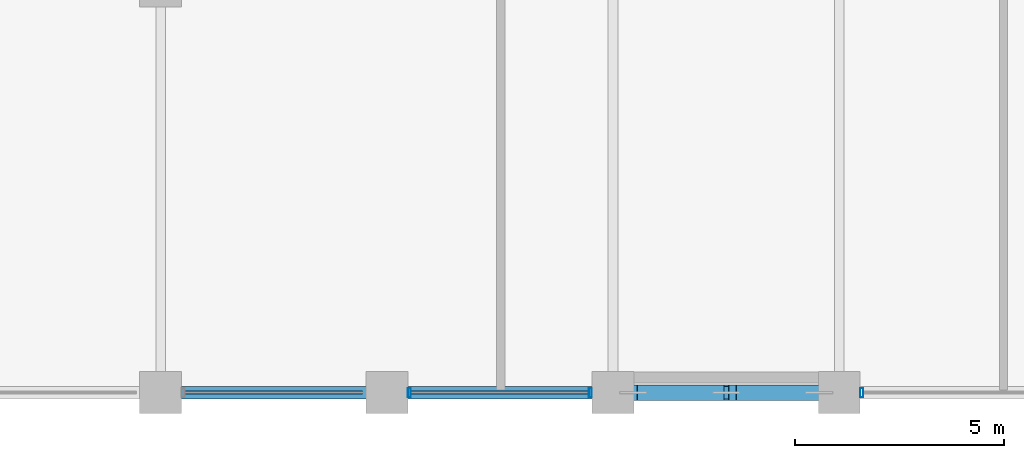
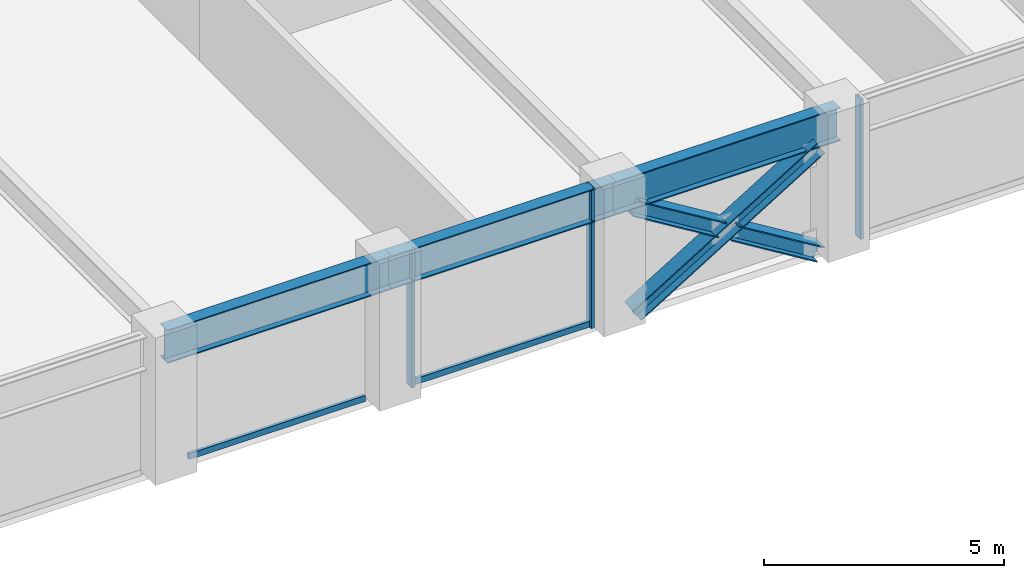
# One storey, part 3 of 29: 8 members, 3 beams, 2 elements without a shape of their own.
"""IFC4 building model written with IfcOpenShell, lengths in metres."""

from ifc_helpers import new_model, si_unit, direction, frame, origin, origin_2d, place, context, subcontext, project, spatial, hollow_rectangle, i_section, extrude, material, layer, layer_set, material_profile, profile_set, type_object, element, aggregate, save


model = new_model("IFC4")

# Units and contexts
model_context = context("Model", 3, precision=1e-05, world=origin(), true_north=direction((0.0, 1.0)))
body_context = subcontext(model_context, "Body", "Model", "MODEL_VIEW")
ifc_project = project(units=[si_unit("LENGTHUNIT", "METRE"), si_unit("AREAUNIT", "SQUARE_METRE"), si_unit("VOLUMEUNIT", "CUBIC_METRE"), si_unit("PLANEANGLEUNIT", "RADIAN"), si_unit("MASSUNIT", "GRAM", prefix="KILO")], contexts=[model_context])

# Site, building, storey
site_placement = place(None, origin())
site = spatial("IfcSite", under=ifc_project, at=site_placement, CompositionType="ELEMENT")
building_placement = place(site_placement, origin())
building = spatial("IfcBuilding", under=site, at=building_placement, Name="Surkhivell Harbour Commons", CompositionType="ELEMENT")
storey_placement = place(building_placement, frame((0.0, 0.0, 150.75)))
storey = spatial("IfcBuildingStorey", under=building, at=storey_placement, Name="L39", CompositionType="ELEMENT", Elevation=150.75)

# Beams
ifc_material_1 = material(Name="Steel S460", Category="steel")
ifc_material_profile_1 = material_profile(ifc_material_1, i_section(OverallWidth=0.2939453125, OverallDepth=0.85107421875, WebThickness=0.01611328125, FlangeThickness=0.02685546875, at=origin_2d()), Name="UB838x292x226")
ifc_profile_set_1 = profile_set([ifc_material_profile_1], Name="Steel S460")
beam_type = type_object("IfcBeamType", Name="BM-SPN-838", PredefinedType="SPANDREL", material=ifc_profile_set_1)
beam_1_placement = place(storey_placement, frame((-21.60009765625, -25.89990234375, 3.14453125), z_axis=(1.0, 0.0, 0.0), x_axis=(0.0, 1.0, 0.0)))
element("IfcBeam", 1, at=beam_1_placement, inside=storey, type_object=beam_type, Name="L39 Tube Spandrel (-21.6,-25.9)", PredefinedType="SPANDREL", context=body_context, shape_type="SweptSolid", body=[
    extrude(i_section(OverallWidth=0.2939453125, OverallDepth=0.85107421875, WebThickness=0.01611328125, FlangeThickness=0.02685546875, at=origin_2d()), origin(), (0.0, 0.0, 1.0), 5.400146484375),
])
beam_2_placement = place(storey_placement, frame((-16.199951171875, -25.89990234375, 3.14453125), z_axis=(1.0, 0.0, 0.0), x_axis=(0.0, 1.0, 0.0)))
element("IfcBeam", 2, at=beam_2_placement, inside=storey, type_object=beam_type, Name="L39 Tube Spandrel (-16.2,-25.9)", PredefinedType="SPANDREL", context=body_context, shape_type="SweptSolid", body=[
    extrude(i_section(OverallWidth=0.2939453125, OverallDepth=0.85107421875, WebThickness=0.01611328125, FlangeThickness=0.02685546875, at=origin_2d()), origin(), (0.0, 0.0, 1.0), 5.39990234375),
])
beam_3_placement = place(storey_placement, frame((-10.800048828125, -25.89990234375, 3.14453125), z_axis=(1.0, 0.0, 0.0), x_axis=(0.0, 1.0, 0.0)))
element("IfcBeam", 3, at=beam_3_placement, inside=storey, type_object=beam_type, Name="L39 Tube Spandrel (-10.8,-25.9)", PredefinedType="SPANDREL", context=body_context, shape_type="SweptSolid", body=[
    extrude(i_section(OverallWidth=0.2939453125, OverallDepth=0.85107421875, WebThickness=0.01611328125, FlangeThickness=0.02685546875, at=origin_2d()), origin(), (0.0, 0.0, 1.0), 5.400146484375),
])

# Curtain wall, members
ifc_material_2 = material(Name="Anodised pale-metal aluminium and insulated glazing", Category="aluminium")
ifc_layer = layer(ifc_material_2, 0.205078125)
ifc_layer_set = layer_set([ifc_layer], Name="Anodised pale-metal aluminium and insulated glazing")
curtain_wall_type = type_object("IfcCurtainWallType", Name="CW-SYS-Z2", PredefinedType="NOTDEFINED", material=ifc_layer_set)
curtain_wall_1_placement = place(storey_placement, origin())
curtain_wall_1 = element("IfcCurtainWall", 4, at=curtain_wall_1_placement, inside=storey, type_object=curtain_wall_type, Name="L39 Curtain Wall CW-L39-E00S1", PredefinedType="NOTDEFINED")
ifc_material_3 = material(Name="Anodised pale-metal aluminium alloy 6063-T6", Category="aluminium")
ifc_material_profile_2 = material_profile(ifc_material_3, hollow_rectangle(XDim=0.074951171875, YDim=0.219970703125, WallThickness=0.00390625, at=origin_2d()), Name="ALU-MULL-75x220")
ifc_profile_set_2 = profile_set([ifc_material_profile_2], Name="Anodised pale-metal aluminium alloy 6063-T6")
member_type_1 = type_object("IfcMemberType", Name="CWM-220", PredefinedType="MULLION", material=ifc_profile_set_2)
member_1_placement = place(storey_placement, frame((-15.660400390625, -25.89990234375, 0.0), z_axis=(0.0, 0.0, 1.0), x_axis=(1.0, 0.0, 0.0)))
member_1 = element("IfcMember", 5, at=member_1_placement, type_object=member_type_1, Name="CW-Z2 mullion 3", PredefinedType="MULLION", context=body_context, shape_type="SweptSolid", body=[
    extrude(hollow_rectangle(XDim=0.074951171875, YDim=0.219970703125, WallThickness=0.00390625, at=origin_2d()), origin(), (0.0, 0.0, 1.0), 3.570068359375),
])
member_2_placement = place(storey_placement, frame((-11.339599609375, -25.89990234375, 0.0), z_axis=(0.0, 0.0, 1.0), x_axis=(1.0, 0.0, 0.0)))
member_2 = element("IfcMember", 6, at=member_2_placement, type_object=member_type_1, Name="CW-Z2 mullion 4", PredefinedType="MULLION", context=body_context, shape_type="SweptSolid", body=[
    extrude(hollow_rectangle(XDim=0.074951171875, YDim=0.219970703125, WallThickness=0.00390625, at=origin_2d()), origin(), (0.0, 0.0, 1.0), 3.570068359375),
])

# Curtain wall, member
curtain_wall_2_placement = place(storey_placement, origin())
curtain_wall_2 = element("IfcCurtainWall", 7, at=curtain_wall_2_placement, inside=storey, type_object=curtain_wall_type, Name="L39 Curtain Wall CW-L39-E00S2", PredefinedType="NOTDEFINED")
member_3_placement = place(storey_placement, frame((-4.860595703125, -25.89990234375, 0.0), z_axis=(0.0, 0.0, 1.0), x_axis=(1.0, 0.0, 0.0)))
member_3 = element("IfcMember", 8, at=member_3_placement, type_object=member_type_1, Name="CW-Z2 mullion 1", PredefinedType="MULLION", context=body_context, shape_type="SweptSolid", body=[
    extrude(hollow_rectangle(XDim=0.074951171875, YDim=0.219970703125, WallThickness=0.00390625, at=origin_2d()), origin(), (0.0, 0.0, 1.0), 3.570068359375),
])
aggregate(curtain_wall_2, [member_3])

# Member
ifc_material_profile_3 = material_profile(ifc_material_3, hollow_rectangle(XDim=0.074951171875, YDim=0.14990234375, WallThickness=0.00341796875, at=origin_2d()), Name="ALU-TRAN-75x150")
ifc_profile_set_3 = profile_set([ifc_material_profile_3], Name="Anodised pale-metal aluminium alloy 6063-T6")
member_type_2 = type_object("IfcMemberType", Name="CWT-150", PredefinedType="USERDEFINED", material=ifc_profile_set_3)
member_4_placement = place(storey_placement, frame((-21.02294921875, -25.89990234375, 0.074951171875), z_axis=(1.0, 0.0, 0.0), x_axis=(0.0, 1.0, 0.0)))
member_4 = element("IfcMember", 9, at=member_4_placement, type_object=member_type_2, Name="CW-Z2 transom 2.1", ObjectType="TRANSOM", PredefinedType="USERDEFINED", context=body_context, shape_type="SweptSolid", body=[
    extrude(hollow_rectangle(XDim=0.074951171875, YDim=0.14990234375, WallThickness=0.00341796875, at=origin_2d()), origin(), (0.0, 0.0, 1.0), 4.245849609375),
])

member_5_placement = place(storey_placement, frame((-15.623046875, -25.89990234375, 0.074951171875), z_axis=(1.0, 0.0, 0.0), x_axis=(0.0, 1.0, 0.0)))
member_5 = element("IfcMember", 10, at=member_5_placement, type_object=member_type_2, Name="CW-Z2 transom 3.1", ObjectType="TRANSOM", PredefinedType="USERDEFINED", context=body_context, shape_type="SweptSolid", body=[
    extrude(hollow_rectangle(XDim=0.074951171875, YDim=0.14990234375, WallThickness=0.00341796875, at=origin_2d()), origin(), (0.0, 0.0, 1.0), 4.24609375),
])

aggregate(curtain_wall_1, [member_4, member_1, member_2, member_5])

# Members
ifc_material_profile_4 = material_profile(ifc_material_1, i_section(OverallWidth=0.375, OverallDepth=0.375, WebThickness=0.0166015625, FlangeThickness=0.027099609375, at=origin_2d()), Name="UC356x368x202")
ifc_profile_set_4 = profile_set([ifc_material_profile_4], Name="Steel S460")
member_type_3 = type_object("IfcMemberType", Name="MEM-BRC-UC356", PredefinedType="BRACE", material=ifc_profile_set_4)
member_6_placement = place(storey_placement, frame((-10.31494140625, -25.89990234375, 0.008056640625), z_axis=(0.852624888477, 0.0, 0.522523491864), x_axis=(0.0, 1.0, 0.0)))
element("IfcMember", 11, at=member_6_placement, inside=storey, type_object=member_type_3, Name="L39 Perimeter Mega-Brace MB- 07", PredefinedType="BRACE", context=body_context, shape_type="SweptSolid", body=[
    extrude(i_section(OverallWidth=0.375, OverallDepth=0.375, WebThickness=0.0166015625, FlangeThickness=0.027099609375, at=origin_2d()), origin(), (0.0, 0.0, 1.0), 5.195556640625),
])
member_7_placement = place(storey_placement, frame((-5.885009765625, -25.89990234375, 0.008056640625), z_axis=(-0.852617215241, 0.0, 0.52253601242), x_axis=(0.0, -1.0, 0.0)))
element("IfcMember", 12, at=member_7_placement, inside=storey, type_object=member_type_3, Name="L39 Perimeter Mega-Brace MB- 08", PredefinedType="BRACE", context=body_context, shape_type="SweptSolid", body=[
    extrude(i_section(OverallWidth=0.375, OverallDepth=0.375, WebThickness=0.0166015625, FlangeThickness=0.027099609375, at=origin_2d()), origin(), (0.0, 0.0, 1.0), 2.41796875),
])
member_8_placement = place(storey_placement, frame((-8.25341796875, -25.89990234375, 1.459716796875), z_axis=(-0.852662200332, 0.0, 0.522462603567), x_axis=(0.0, -1.0, 0.0)))
element("IfcMember", 13, at=member_8_placement, inside=storey, type_object=member_type_3, Name="L39 Perimeter Mega-Brace MB- 09", PredefinedType="BRACE", context=body_context, shape_type="SweptSolid", body=[
    extrude(i_section(OverallWidth=0.375, OverallDepth=0.375, WebThickness=0.0166015625, FlangeThickness=0.027099609375, at=origin_2d()), origin(), (0.0, 0.0, 1.0), 2.417724609375),
])

save(model, "model.ifc")
